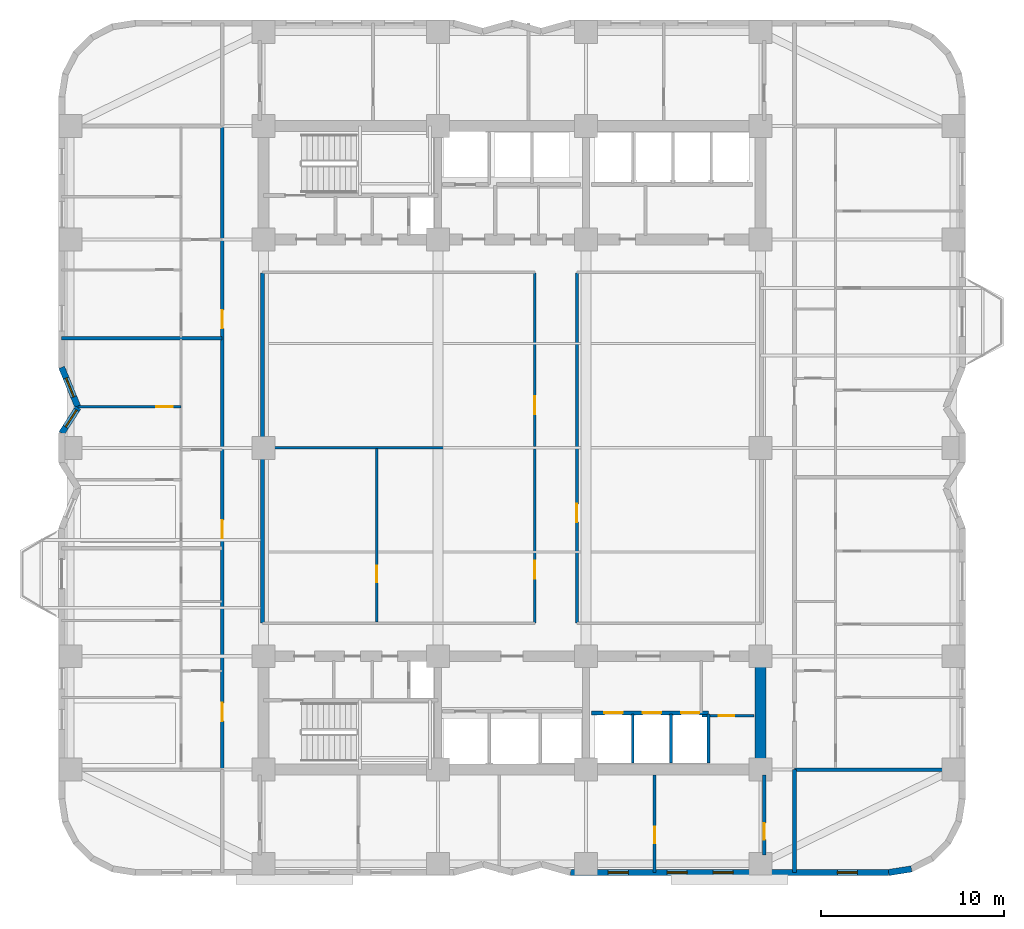
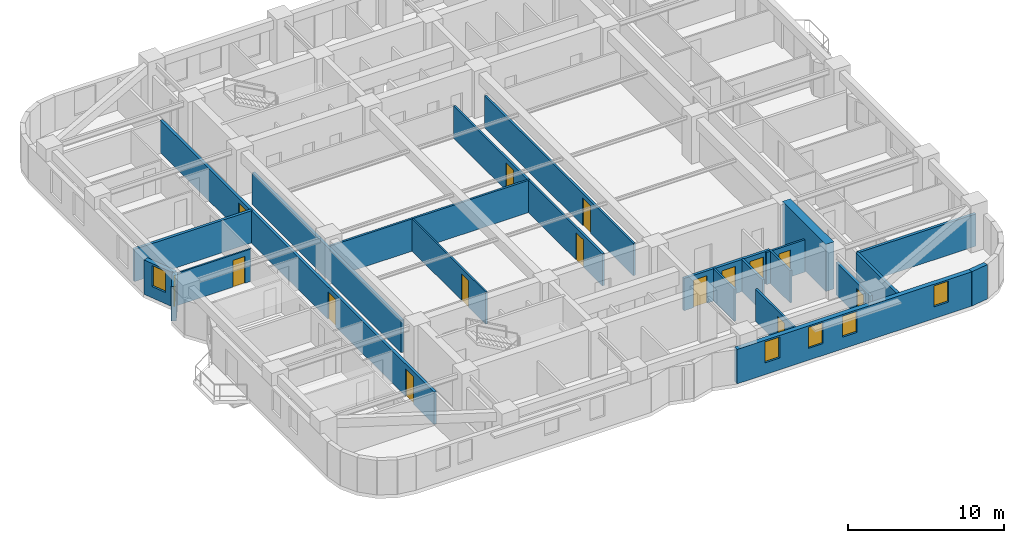
# One storey, part 4 of 11: 22 walls, 14 doors, 6 windows, 20 openings.
"""IFC4 building model written with IfcOpenShell, lengths in metres."""

from ifc_helpers import new_model, si_unit, direction, frame, frame_2d, origin, place, context, subcontext, project, spatial, rectangle, extrude, material, layer, layer_set, type_object, element, fill, save


model = new_model("IFC4")

# Units and contexts
model_context = context("Model", 3, precision=1e-05, world=origin(), true_north=direction((0.0, 1.0)))
body_context = subcontext(model_context, "Body", "Model", "MODEL_VIEW")
ifc_project = project(units=[si_unit("LENGTHUNIT", "METRE"), si_unit("AREAUNIT", "SQUARE_METRE"), si_unit("VOLUMEUNIT", "CUBIC_METRE"), si_unit("PLANEANGLEUNIT", "RADIAN"), si_unit("MASSUNIT", "GRAM", prefix="KILO")], contexts=[model_context])

# Site, building, storey
site_placement = place(None, origin())
site = spatial("IfcSite", under=ifc_project, at=site_placement, CompositionType="ELEMENT")
building_placement = place(site_placement, origin())
building = spatial("IfcBuilding", under=site, at=building_placement, Name="Svetorya Sky Lyceum", CompositionType="ELEMENT")
storey_placement = place(building_placement, frame((0.0, 0.0, 36.199951171875)))
storey = spatial("IfcBuildingStorey", under=building, at=storey_placement, Name="L08", CompositionType="ELEMENT", Elevation=36.199951171875)

# Wall
ifc_material_1 = material(Name="Concrete C60/75", Category="concrete")
ifc_layer_1 = layer(ifc_material_1, 0.60009765625)
ifc_layer_set_1 = layer_set([ifc_layer_1], Name="Concrete C60/75")
wall_type_1 = type_object("IfcWallType", Name="WL-CORE-600", PredefinedType="SHEAR", material=ifc_layer_set_1)
wall_1_placement = place(storey_placement, frame((52.800048828125, 10.89990234375, 0.0), z_axis=(0.0, 0.0, 1.0), x_axis=(0.0, 1.0, 0.0)))
element("IfcWall", 1, at=wall_1_placement, inside=storey, type_object=wall_type_1, Name="L08 SC East Core Shear Wall", PredefinedType="SHEAR", context=body_context, shape_type="SweptSolid", body=[
    extrude(rectangle(XDim=5.60009765625, YDim=0.60009765625, at=frame_2d((2.800048828125, 0.0))), origin(), (0.0, 0.0, 1.0), 3.699951171875),
])

# Wall, openings, windows
ifc_material_2 = material(Name="Putilovo limestone rainscreen on autoclaved cellular masonry", Category="masonry")
ifc_layer_2 = layer(ifc_material_2, 0.340087890625)
ifc_layer_set_2 = layer_set([ifc_layer_2], Name="Putilovo limestone rainscreen on autoclaved cellular masonry")
wall_type_2 = type_object("IfcWallType", Name="WL-EXT-340", PredefinedType="SOLIDWALL", material=ifc_layer_set_2)
wall_2_placement = place(storey_placement, frame((42.39990234375, 4.969970703125, 0.0), z_axis=(0.0, 0.0, 1.0), x_axis=(1.0, 0.0, 0.0)))
wall_2 = element("IfcWall", 2, at=wall_2_placement, inside=storey, type_object=wall_type_2, Name="L08 Limestone Exterior Wall 11M", PredefinedType="SOLIDWALL", context=body_context, shape_type="SweptSolid", body=[
    extrude(rectangle(XDim=17.400146484375, YDim=0.340087890625, at=frame_2d((8.7001953125, 0.0))), origin(), (0.0, 0.0, 1.0), 2.699951171875),
])
opening_1_placement = place(wall_2_placement, frame((2.06005859375, 0.0, 0.929931640625)))
opening_1 = element("IfcOpeningElement", 3, at=opening_1_placement, cuts=wall_2, Name="Opening W-R3", PredefinedType="OPENING", context=body_context, shape_type="SweptSolid", body=[
    extrude(rectangle(XDim=1.10009765625, YDim=1.64990234375, at=frame_2d((0.550048828125, 0.824951171875))), frame((0.0, 0.179931640625, 0.0), z_axis=(0.0, -1.0, 0.0), x_axis=(1.0, 0.0, 0.0)), (0.0, 0.0, 1.0), 0.360107421875),
])
opening_2_placement = place(wall_2_placement, frame((5.280029296875, 0.0, 0.929931640625)))
opening_2 = element("IfcOpeningElement", 4, at=opening_2_placement, cuts=wall_2, Name="Opening W-R3", PredefinedType="OPENING", context=body_context, shape_type="SweptSolid", body=[
    extrude(rectangle(XDim=1.10009765625, YDim=1.64990234375, at=frame_2d((0.550048828125, 0.824951171875))), frame((0.0, 0.179931640625, 0.0), z_axis=(0.0, -1.0, 0.0), x_axis=(1.0, 0.0, 0.0)), (0.0, 0.0, 1.0), 0.360107421875),
])
opening_3_placement = place(wall_2_placement, frame((7.800048828125, 0.0, 0.929931640625)))
opening_3 = element("IfcOpeningElement", 5, at=opening_3_placement, cuts=wall_2, Name="Opening W-R3", PredefinedType="OPENING", context=body_context, shape_type="SweptSolid", body=[
    extrude(rectangle(XDim=1.10009765625, YDim=1.64990234375, at=frame_2d((0.550048828125, 0.824951171875))), frame((0.0, 0.179931640625, 0.0), z_axis=(0.0, -1.0, 0.0), x_axis=(1.0, 0.0, 0.0)), (0.0, 0.0, 1.0), 0.360107421875),
])
opening_4_placement = place(wall_2_placement, frame((14.590087890625, 0.0, 0.929931640625)))
opening_4 = element("IfcOpeningElement", 6, at=opening_4_placement, cuts=wall_2, Name="Opening W-R3", PredefinedType="OPENING", context=body_context, shape_type="SweptSolid", body=[
    extrude(rectangle(XDim=1.10009765625, YDim=1.64990234375, at=frame_2d((0.550048828125, 0.824951171875))), frame((0.0, 0.179931640625, 0.0), z_axis=(0.0, -1.0, 0.0), x_axis=(1.0, 0.0, 0.0)), (0.0, 0.0, 1.0), 0.360107421875),
])
ifc_material_3 = material(Name="Thermally broken aluminium frame with triple low-E glazing", Category="aluminium")
window_type = type_object("IfcWindowType", Name="WN-RES-110", PartitioningType="SINGLE_PANEL", PredefinedType="WINDOW", material=ifc_material_3)
window_1_placement = place(opening_1_placement, origin())
window_1 = element("IfcWindow", 7, at=window_1_placement, inside=storey, type_object=window_type, Name="L08 Facade Window W-R3.11M.1", OverallHeight=1.64990234375, OverallWidth=1.10009765625, PartitioningType="SINGLE_PANEL", PredefinedType="WINDOW", context=body_context, shape_type="SweptSolid", body=[
    extrude(rectangle(XDim=1.10009765625, YDim=1.64990234375, at=frame_2d((0.550048828125, 0.824951171875))), frame((0.0, 0.030029296875, 0.0), z_axis=(0.0, -1.0, 0.0), x_axis=(1.0, 0.0, 0.0)), (0.0, 0.0, 1.0), 0.06005859375),
])
fill(opening_1, window_1)
window_2_placement = place(opening_2_placement, origin())
window_2 = element("IfcWindow", 8, at=window_2_placement, inside=storey, type_object=window_type, Name="L08 Facade Window W-R3.11M.2", OverallHeight=1.64990234375, OverallWidth=1.10009765625, PartitioningType="SINGLE_PANEL", PredefinedType="WINDOW", context=body_context, shape_type="SweptSolid", body=[
    extrude(rectangle(XDim=1.10009765625, YDim=1.64990234375, at=frame_2d((0.550048828125, 0.824951171875))), frame((0.0, 0.030029296875, 0.0), z_axis=(0.0, -1.0, 0.0), x_axis=(1.0, 0.0, 0.0)), (0.0, 0.0, 1.0), 0.06005859375),
])
fill(opening_2, window_2)
window_3_placement = place(opening_3_placement, origin())
window_3 = element("IfcWindow", 9, at=window_3_placement, inside=storey, type_object=window_type, Name="L08 Facade Window W-R3.11M.3", OverallHeight=1.64990234375, OverallWidth=1.10009765625, PartitioningType="SINGLE_PANEL", PredefinedType="WINDOW", context=body_context, shape_type="SweptSolid", body=[
    extrude(rectangle(XDim=1.10009765625, YDim=1.64990234375, at=frame_2d((0.550048828125, 0.824951171875))), frame((0.0, 0.030029296875, 0.0), z_axis=(0.0, -1.0, 0.0), x_axis=(1.0, 0.0, 0.0)), (0.0, 0.0, 1.0), 0.06005859375),
])
fill(opening_3, window_3)
window_4_placement = place(opening_4_placement, origin())
window_4 = element("IfcWindow", 10, at=window_4_placement, inside=storey, type_object=window_type, Name="L08 Facade Window W-R3.11M.4", OverallHeight=1.64990234375, OverallWidth=1.10009765625, PartitioningType="SINGLE_PANEL", PredefinedType="WINDOW", context=body_context, shape_type="SweptSolid", body=[
    extrude(rectangle(XDim=1.10009765625, YDim=1.64990234375, at=frame_2d((0.550048828125, 0.824951171875))), frame((0.0, 0.030029296875, 0.0), z_axis=(0.0, -1.0, 0.0), x_axis=(1.0, 0.0, 0.0)), (0.0, 0.0, 1.0), 0.06005859375),
])
fill(opening_4, window_4)

# Wall
wall_3_placement = place(storey_placement, frame((59.800048828125, 4.969970703125, 0.0), z_axis=(0.0, 0.0, 1.0), x_axis=(0.987685918112, 0.15644975923, 0.0)))
element("IfcWall", 11, at=wall_3_placement, inside=storey, type_object=wall_type_2, Name="L08 Limestone Exterior Wall 12M", PredefinedType="SOLIDWALL", context=body_context, shape_type="SweptSolid", body=[
    extrude(rectangle(XDim=1.260986328125, YDim=0.340087890625, at=frame_2d((0.63037109375, 0.0))), origin(), (0.0, 0.0, 1.0), 2.699951171875),
])

# Wall, opening, window
wall_4_placement = place(storey_placement, frame((14.570068359375, 32.60009765625, 0.0), z_axis=(0.0, 0.0, 1.0), x_axis=(0.378568858991, -0.925573130013, 0.0)))
wall_4 = element("IfcWall", 12, at=wall_4_placement, inside=storey, type_object=wall_type_2, Name="L08 Limestone Exterior Wall 41M", PredefinedType="SOLIDWALL", context=body_context, shape_type="SweptSolid", body=[
    extrude(rectangle(XDim=2.377197265625, YDim=0.340087890625, at=frame_2d((1.1884765625, 0.0))), origin(), (0.0, 0.0, 1.0), 2.699951171875),
])
opening_5_placement = place(wall_4_placement, frame((0.638427734375, 0.0, 0.889892578125)))
opening_5 = element("IfcOpeningElement", 13, at=opening_5_placement, cuts=wall_4, Name="Opening W-R3", PredefinedType="OPENING", context=body_context, shape_type="SweptSolid", body=[
    extrude(rectangle(XDim=1.10009765625, YDim=1.64990234375, at=frame_2d((0.550048828125, 0.824951171875))), frame((0.0, 0.179931640625, 0.0), z_axis=(0.0, -1.0, 0.0), x_axis=(1.0, 0.0, 0.0)), (0.0, 0.0, 1.0), 0.360107421875),
])
window_5_placement = place(opening_5_placement, origin())
window_5 = element("IfcWindow", 14, at=window_5_placement, inside=storey, type_object=window_type, Name="L08 Facade Window W-R3.41M.1", OverallHeight=1.64990234375, OverallWidth=1.10009765625, PartitioningType="SINGLE_PANEL", PredefinedType="WINDOW", context=body_context, shape_type="SweptSolid", body=[
    extrude(rectangle(XDim=1.10009765625, YDim=1.64990234375, at=frame_2d((0.550048828125, 0.824951171875))), frame((0.0, 0.030029296875, 0.0), z_axis=(0.0, -1.0, 0.0), x_axis=(1.0, 0.0, 0.0)), (0.0, 0.0, 1.0), 0.06005859375),
])
fill(opening_5, window_5)

wall_5_placement = place(storey_placement, frame((15.469970703125, 30.39990234375, 0.0), z_axis=(0.0, 0.0, 1.0), x_axis=(-0.540742762169, -0.841188008214, 0.0)))
wall_5 = element("IfcWall", 15, at=wall_5_placement, inside=storey, type_object=wall_type_2, Name="L08 Limestone Exterior Wall 42M", PredefinedType="SOLIDWALL", context=body_context, shape_type="SweptSolid", body=[
    extrude(rectangle(XDim=1.664306640625, YDim=0.340087890625, at=frame_2d((0.83203125, 0.0))), origin(), (0.0, 0.0, 1.0), 2.699951171875),
])
opening_6_placement = place(wall_5_placement, frame((0.159912109375, 0.0, 0.889892578125)))
opening_6 = element("IfcOpeningElement", 16, at=opening_6_placement, cuts=wall_5, Name="Opening W-R3", PredefinedType="OPENING", context=body_context, shape_type="SweptSolid", body=[
    extrude(rectangle(XDim=1.10009765625, YDim=1.64990234375, at=frame_2d((0.550048828125, 0.824951171875))), frame((0.0, 0.179931640625, 0.0), z_axis=(0.0, -1.0, 0.0), x_axis=(1.0, 0.0, 0.0)), (0.0, 0.0, 1.0), 0.360107421875),
])
window_6_placement = place(opening_6_placement, origin())
window_6 = element("IfcWindow", 17, at=window_6_placement, inside=storey, type_object=window_type, Name="L08 Facade Window W-R3.42M.1", OverallHeight=1.64990234375, OverallWidth=1.10009765625, PartitioningType="SINGLE_PANEL", PredefinedType="WINDOW", context=body_context, shape_type="SweptSolid", body=[
    extrude(rectangle(XDim=1.10009765625, YDim=1.64990234375, at=frame_2d((0.550048828125, 0.824951171875))), frame((0.0, 0.030029296875, 0.0), z_axis=(0.0, -1.0, 0.0), x_axis=(1.0, 0.0, 0.0)), (0.0, 0.0, 1.0), 0.06005859375),
])
fill(opening_6, window_6)

# Wall, opening, door
ifc_material_4 = material(Name="Twin-stud galvanized framing with double fireboard", Category="gypsum")
ifc_layer_3 = layer(ifc_material_4, 0.1201171875)
ifc_layer_set_3 = layer_set([ifc_layer_3], Name="Twin-stud galvanized framing with double fireboard")
wall_type_3 = type_object("IfcWallType", Name="WL-PART-120", PredefinedType="PARTITIONING", material=ifc_layer_set_3)
wall_6_placement = place(storey_placement, frame((31.800048828125, 18.659912109375, 0.0), z_axis=(0.0, 0.0, 1.0), x_axis=(0.0, 1.0, 0.0)))
wall_6 = element("IfcWall", 18, at=wall_6_placement, inside=storey, type_object=wall_type_3, Name="L08 Interior Partition CEN-WV1", PredefinedType="PARTITIONING", context=body_context, shape_type="SweptSolid", body=[
    extrude(rectangle(XDim=9.489990234375, YDim=0.1201171875, at=frame_2d((4.7451171875, 0.0))), origin(), (0.0, 0.0, 1.0), 2.530029296875),
])
opening_7_placement = place(wall_6_placement, frame((2.199951171875, 0.0, 0.0)))
opening_7 = element("IfcOpeningElement", 19, at=opening_7_placement, cuts=wall_6, Name="Opening D-RM1", PredefinedType="OPENING", context=body_context, shape_type="SweptSolid", body=[
    extrude(rectangle(XDim=0.89990234375, YDim=2.10009765625, at=frame_2d((0.449951171875, 1.050048828125))), frame((0.0, 0.070068359375, 0.0), z_axis=(0.0, -1.0, 0.0), x_axis=(1.0, 0.0, 0.0)), (0.0, 0.0, 1.0), 0.14013671875),
])
ifc_material_5 = material(Name="Lacquered birch veneer internal door")
door_type_1 = type_object("IfcDoorType", Name="DR-INT-900", OperationType="SINGLE_SWING_LEFT", PredefinedType="DOOR", material=ifc_material_5)
door_1_placement = place(opening_7_placement, origin())
door_1 = element("IfcDoor", 20, at=door_1_placement, inside=storey, type_object=door_type_1, Name="L08 Quiet Study Door", OperationType="SINGLE_SWING_LEFT", OverallHeight=2.10009765625, OverallWidth=0.89990234375, PredefinedType="DOOR", context=body_context, shape_type="SweptSolid", body=[
    extrude(rectangle(XDim=0.89990234375, YDim=2.10009765625, at=frame_2d((0.449951171875, 1.050048828125))), frame((0.0, 0.02490234375, 0.0), z_axis=(0.0, -1.0, 0.0), x_axis=(1.0, 0.0, 0.0)), (0.0, 0.0, 1.0), 0.050048828125),
])
fill(opening_7, door_1)

wall_7_placement = place(storey_placement, frame((15.449462890625, 30.449951171875, 0.0), z_axis=(0.0, 0.0, 1.0), x_axis=(1.0, 0.0, 0.0)))
wall_7 = element("IfcWall", 21, at=wall_7_placement, inside=storey, type_object=wall_type_3, Name="L08 Interior Partition W2-WL2", PredefinedType="PARTITIONING", context=body_context, shape_type="SweptSolid", body=[
    extrude(rectangle(XDim=5.650634765625, YDim=0.1201171875, at=frame_2d((2.8251953125, 0.0))), origin(), (0.0, 0.0, 1.0), 2.530029296875),
])
opening_8_placement = place(wall_7_placement, frame((4.300537109375, 0.0, 0.0)))
opening_8 = element("IfcOpeningElement", 22, at=opening_8_placement, cuts=wall_7, Name="Opening D-RM1", PredefinedType="OPENING", context=body_context, shape_type="SweptSolid", body=[
    extrude(rectangle(XDim=0.89990234375, YDim=2.10009765625, at=frame_2d((0.449951171875, 1.050048828125))), frame((0.0, 0.070068359375, 0.0), z_axis=(0.0, -1.0, 0.0), x_axis=(1.0, 0.0, 0.0)), (0.0, 0.0, 1.0), 0.14013671875),
])
door_2_placement = place(opening_8_placement, origin())
door_2 = element("IfcDoor", 23, at=door_2_placement, inside=storey, type_object=door_type_1, Name="Apartment W2 Bedroom 2 Door", OperationType="SINGLE_SWING_LEFT", OverallHeight=2.10009765625, OverallWidth=0.89990234375, PredefinedType="DOOR", context=body_context, shape_type="SweptSolid", body=[
    extrude(rectangle(XDim=0.89990234375, YDim=2.10009765625, at=frame_2d((0.449951171875, 1.050048828125))), frame((0.0, 0.02490234375, 0.0), z_axis=(0.0, -1.0, 0.0), x_axis=(1.0, 0.0, 0.0)), (0.0, 0.0, 1.0), 0.050048828125),
])
fill(opening_8, door_2)

# Walls
ifc_material_6 = material(Name="Autoclaved cellular masonry blockwork with acoustic render", Category="masonry")
ifc_layer_4 = layer(ifc_material_6, 0.14990234375)
ifc_layer_set_4 = layer_set([ifc_layer_4], Name="Autoclaved cellular masonry blockwork with acoustic render")
wall_type_4 = type_object("IfcWallType", Name="WL-PART-150", PredefinedType="PARTITIONING", material=ifc_layer_set_4)
for number, where, z_axis, x_axis, name in (
    (24, (45.800048828125, 10.949951171875, 0.0), (0.0, 0.0, 1.0), (0.0, 1.0, 0.0), "L08 Interior Partition SC-PL-DIV1"),
    (25, (47.89990234375, 10.949951171875, 0.0), (0.0, 0.0, 1.0), (0.0, 1.0, 0.0), "L08 Interior Partition SC-PL-DIV2"),
    (26, (49.949951171875, 10.949951171875, 0.0), (0.0, 0.0, 1.0), (0.0, 1.0, 0.0), "L08 Interior Partition SC-PL-END"),
):
    element("IfcWall", number, at=place(storey_placement, frame(where, z_axis=z_axis, x_axis=x_axis)), inside=storey, type_object=wall_type_4, Name=name, PredefinedType="PARTITIONING", context=body_context, shape_type="SweptSolid", body=[
        extrude(rectangle(XDim=2.699951171875, YDim=0.14990234375, at=frame_2d((1.35009765625, 0.0))), origin(), (0.0, 0.0, 1.0), 2.530029296875),
    ])

# Wall, opening, door
wall_8_placement = place(storey_placement, frame((49.60009765625, 13.550048828125, 0.0), z_axis=(0.0, 0.0, 1.0), x_axis=(1.0, 0.0, 0.0)))
wall_8 = element("IfcWall", 27, at=wall_8_placement, inside=storey, type_object=wall_type_4, Name="L08 Interior Partition SC-AUX-H", PredefinedType="PARTITIONING", context=body_context, shape_type="SweptSolid", body=[
    extrude(rectangle(XDim=2.849853515625, YDim=0.14990234375, at=frame_2d((1.4248046875, 0.0))), origin(), (0.0, 0.0, 1.0), 2.530029296875),
])
opening_9_placement = place(wall_8_placement, frame((0.89990234375, 0.0, 0.0)))
opening_9 = element("IfcOpeningElement", 28, at=opening_9_placement, cuts=wall_8, Name="Opening D-CWC1", PredefinedType="OPENING", context=body_context, shape_type="SweptSolid", body=[
    extrude(rectangle(XDim=0.85009765625, YDim=2.10009765625, at=frame_2d((0.425048828125, 1.050048828125))), frame((0.0, 0.0849609375, 0.0), z_axis=(0.0, -1.0, 0.0), x_axis=(1.0, 0.0, 0.0)), (0.0, 0.0, 1.0), 0.169921875),
])
ifc_material_7 = material(Name="Fire-rated galvanized steel core service closet door", Category="steel")
door_type_2 = type_object("IfcDoorType", Name="DR-CWET-850", OperationType="SINGLE_SWING_LEFT", PredefinedType="DOOR", material=ifc_material_7)
door_3_placement = place(opening_9_placement, origin())
door_3 = element("IfcDoor", 29, at=door_3_placement, inside=storey, type_object=door_type_2, Name="L08 South Electrical Closet Door", OperationType="SINGLE_SWING_LEFT", OverallHeight=2.10009765625, OverallWidth=0.85009765625, PredefinedType="DOOR", context=body_context, shape_type="SweptSolid", body=[
    extrude(rectangle(XDim=0.85009765625, YDim=2.10009765625, at=frame_2d((0.425048828125, 1.050048828125))), frame((0.0, 0.02490234375, 0.0), z_axis=(0.0, -1.0, 0.0), x_axis=(1.0, 0.0, 0.0)), (0.0, 0.0, 1.0), 0.050048828125),
])
fill(opening_9, door_3)

# Wall
wall_9_placement = place(storey_placement, frame((25.60009765625, 28.199951171875, 0.0), z_axis=(0.0, 0.0, 1.0), x_axis=(1.0, 0.0, 0.0)))
element("IfcWall", 30, at=wall_9_placement, inside=storey, type_object=wall_type_4, Name="L08 Interior Partition CEN-HW", PredefinedType="PARTITIONING", context=body_context, shape_type="SweptSolid", body=[
    extrude(rectangle(XDim=14.869873046875, YDim=0.14990234375, at=frame_2d((7.43505859375, 0.0))), origin(), (0.0, 0.0, 1.0), 2.530029296875),
])

# Wall, openings, doors
wall_10_placement = place(storey_placement, frame((40.449951171875, 18.6298828125, 0.0), z_axis=(0.0, 0.0, 1.0), x_axis=(0.0, 1.0, 0.0)))
wall_10 = element("IfcWall", 31, at=wall_10_placement, inside=storey, type_object=wall_type_4, Name="L08 Interior Partition CEN-VW", PredefinedType="PARTITIONING", context=body_context, shape_type="SweptSolid", body=[
    extrude(rectangle(XDim=19.14013671875, YDim=0.14990234375, at=frame_2d((9.570068359375, 0.0))), origin(), (0.0, 0.0, 1.0), 2.530029296875),
])
opening_10_placement = place(wall_10_placement, frame((2.39990234375, 0.0, 0.0)))
opening_10 = element("IfcOpeningElement", 32, at=opening_10_placement, cuts=wall_10, Name="Opening D-RM2", PredefinedType="OPENING", context=body_context, shape_type="SweptSolid", body=[
    extrude(rectangle(XDim=1.0, YDim=2.14990234375, at=frame_2d((0.5, 1.074951171875))), frame((0.0, 0.0849609375, 0.0), z_axis=(0.0, -1.0, 0.0), x_axis=(1.0, 0.0, 0.0)), (0.0, 0.0, 1.0), 0.169921875),
])
opening_11_placement = place(wall_10_placement, frame((11.39990234375, 0.0, 0.0)))
opening_11 = element("IfcOpeningElement", 33, at=opening_11_placement, cuts=wall_10, Name="Opening D-RM2", PredefinedType="OPENING", context=body_context, shape_type="SweptSolid", body=[
    extrude(rectangle(XDim=1.0, YDim=2.14990234375, at=frame_2d((0.5, 1.074951171875))), frame((0.0, 0.0849609375, 0.0), z_axis=(0.0, -1.0, 0.0), x_axis=(1.0, 0.0, 0.0)), (0.0, 0.0, 1.0), 0.169921875),
])
ifc_material_8 = material(Name="Solid-core oak acoustic room door")
door_type_3 = type_object("IfcDoorType", Name="DR-INT-1000", OperationType="SINGLE_SWING_LEFT", PredefinedType="DOOR", material=ifc_material_8)
door_4_placement = place(opening_10_placement, origin())
door_4 = element("IfcDoor", 34, at=door_4_placement, inside=storey, type_object=door_type_3, Name="L08 Study Door", OperationType="SINGLE_SWING_LEFT", OverallHeight=2.14990234375, OverallWidth=1.0, PredefinedType="DOOR", context=body_context, shape_type="SweptSolid", body=[
    extrude(rectangle(XDim=1.0, YDim=2.14990234375, at=frame_2d((0.5, 1.074951171875))), frame((0.0, 0.02490234375, 0.0), z_axis=(0.0, -1.0, 0.0), x_axis=(1.0, 0.0, 0.0)), (0.0, 0.0, 1.0), 0.050048828125),
])
fill(opening_10, door_4)
door_5_placement = place(opening_11_placement, origin())
door_5 = element("IfcDoor", 35, at=door_5_placement, inside=storey, type_object=door_type_3, Name="L08 Focus Door", OperationType="SINGLE_SWING_RIGHT", OverallHeight=2.14990234375, OverallWidth=1.0, PredefinedType="DOOR", context=body_context, shape_type="SweptSolid", body=[
    extrude(rectangle(XDim=1.0, YDim=2.14990234375, at=frame_2d((0.5, 1.074951171875))), frame((0.0, 0.02490234375, 0.0), z_axis=(0.0, -1.0, 0.0), x_axis=(1.0, 0.0, 0.0)), (0.0, 0.0, 1.0), 0.050048828125),
])
fill(opening_11, door_5)

# Wall, opening, door
wall_11_placement = place(storey_placement, frame((42.75, 18.6298828125, 0.0), z_axis=(0.0, 0.0, 1.0), x_axis=(0.0, 1.0, 0.0)))
wall_11 = element("IfcWall", 36, at=wall_11_placement, inside=storey, type_object=wall_type_4, Name="L08 Interior Partition CEN-VE", PredefinedType="PARTITIONING", context=body_context, shape_type="SweptSolid", body=[
    extrude(rectangle(XDim=19.14013671875, YDim=0.14990234375, at=frame_2d((9.570068359375, 0.0))), origin(), (0.0, 0.0, 1.0), 2.530029296875),
])
opening_12_placement = place(wall_11_placement, frame((5.5, 0.0, 0.0)))
opening_12 = element("IfcOpeningElement", 37, at=opening_12_placement, cuts=wall_11, Name="Opening D-RM2", PredefinedType="OPENING", context=body_context, shape_type="SweptSolid", body=[
    extrude(rectangle(XDim=1.0, YDim=2.14990234375, at=frame_2d((0.5, 1.074951171875))), frame((0.0, 0.0849609375, 0.0), z_axis=(0.0, -1.0, 0.0), x_axis=(1.0, 0.0, 0.0)), (0.0, 0.0, 1.0), 0.169921875),
])
door_6_placement = place(opening_12_placement, origin())
door_6 = element("IfcDoor", 38, at=door_6_placement, inside=storey, type_object=door_type_3, Name="L08 East Hall Door", OperationType="SINGLE_SWING_RIGHT", OverallHeight=2.14990234375, OverallWidth=1.0, PredefinedType="DOOR", context=body_context, shape_type="SweptSolid", body=[
    extrude(rectangle(XDim=1.0, YDim=2.14990234375, at=frame_2d((0.5, 1.074951171875))), frame((0.0, 0.02490234375, 0.0), z_axis=(0.0, -1.0, 0.0), x_axis=(1.0, 0.0, 0.0)), (0.0, 0.0, 1.0), 0.050048828125),
])
fill(opening_12, door_6)

wall_12_placement = place(storey_placement, frame((47.0, 4.969970703125, 0.0), z_axis=(0.0, 0.0, 1.0), x_axis=(0.0, 1.0, 0.0)))
wall_12 = element("IfcWall", 39, at=wall_12_placement, inside=storey, type_object=wall_type_4, Name="L08 Interior Partition S4-D3", PredefinedType="PARTITIONING", context=body_context, shape_type="SweptSolid", body=[
    extrude(rectangle(XDim=5.330078125, YDim=0.14990234375, at=frame_2d((2.6650390625, 0.0))), origin(), (0.0, 0.0, 1.0), 2.530029296875),
])
opening_13_placement = place(wall_12_placement, frame((1.60009765625, 0.0, 0.0)))
opening_13 = element("IfcOpeningElement", 40, at=opening_13_placement, cuts=wall_12, Name="Opening D-RM1", PredefinedType="OPENING", context=body_context, shape_type="SweptSolid", body=[
    extrude(rectangle(XDim=0.89990234375, YDim=2.10009765625, at=frame_2d((0.449951171875, 1.050048828125))), frame((0.0, 0.0849609375, 0.0), z_axis=(0.0, -1.0, 0.0), x_axis=(1.0, 0.0, 0.0)), (0.0, 0.0, 1.0), 0.169921875),
])
door_7_placement = place(opening_13_placement, origin())
door_7 = element("IfcDoor", 41, at=door_7_placement, inside=storey, type_object=door_type_1, Name="L08 South Suite Door 3", OperationType="SINGLE_SWING_LEFT", OverallHeight=2.10009765625, OverallWidth=0.89990234375, PredefinedType="DOOR", context=body_context, shape_type="SweptSolid", body=[
    extrude(rectangle(XDim=0.89990234375, YDim=2.10009765625, at=frame_2d((0.449951171875, 1.050048828125))), frame((0.0, 0.02490234375, 0.0), z_axis=(0.0, -1.0, 0.0), x_axis=(1.0, 0.0, 0.0)), (0.0, 0.0, 1.0), 0.050048828125),
])
fill(opening_13, door_7)

# Wall, openings, doors
ifc_material_9 = material(Name="Autoclaved cellular masonry blockwork with gypsum plaster", Category="masonry")
ifc_layer_5 = layer(ifc_material_9, 0.199951171875)
ifc_layer_set_5 = layer_set([ifc_layer_5], Name="Autoclaved cellular masonry blockwork with gypsum plaster")
wall_type_5 = type_object("IfcWallType", Name="WL-PART-200", PredefinedType="PARTITIONING", material=ifc_layer_set_5)
wall_13_placement = place(storey_placement, frame((43.550048828125, 13.699951171875, 0.0), z_axis=(0.0, 0.0, 1.0), x_axis=(1.0, 0.0, 0.0)))
wall_13 = element("IfcWall", 42, at=wall_13_placement, inside=storey, type_object=wall_type_5, Name="L08 Interior Partition SC-PLW", PredefinedType="PARTITIONING", context=body_context, shape_type="SweptSolid", body=[
    extrude(rectangle(XDim=6.39990234375, YDim=0.199951171875, at=frame_2d((3.199951171875, 0.0))), origin(), (0.0, 0.0, 1.0), 2.530029296875),
])
opening_14_placement = place(wall_13_placement, frame((0.699951171875, 0.0, 0.0)))
opening_14 = element("IfcOpeningElement", 43, at=opening_14_placement, cuts=wall_13, Name="Opening LD-P1", PredefinedType="OPENING", context=body_context, shape_type="SweptSolid", body=[
    extrude(rectangle(XDim=1.0, YDim=2.14990234375, at=frame_2d((0.5, 1.074951171875))), frame((0.0, 0.10986328125, 0.0), z_axis=(0.0, -1.0, 0.0), x_axis=(1.0, 0.0, 0.0)), (0.0, 0.0, 1.0), 0.219970703125),
])
opening_15_placement = place(wall_13_placement, frame((2.800048828125, 0.0, 0.0)))
opening_15 = element("IfcOpeningElement", 44, at=opening_15_placement, cuts=wall_13, Name="Opening LD-P1", PredefinedType="OPENING", context=body_context, shape_type="SweptSolid", body=[
    extrude(rectangle(XDim=1.0, YDim=2.14990234375, at=frame_2d((0.5, 1.074951171875))), frame((0.0, 0.10986328125, 0.0), z_axis=(0.0, -1.0, 0.0), x_axis=(1.0, 0.0, 0.0)), (0.0, 0.0, 1.0), 0.219970703125),
])
opening_16_placement = place(wall_13_placement, frame((4.89990234375, 0.0, 0.0)))
opening_16 = element("IfcOpeningElement", 45, at=opening_16_placement, cuts=wall_13, Name="Opening LD-P1", PredefinedType="OPENING", context=body_context, shape_type="SweptSolid", body=[
    extrude(rectangle(XDim=1.0, YDim=2.14990234375, at=frame_2d((0.5, 1.074951171875))), frame((0.0, 0.10986328125, 0.0), z_axis=(0.0, -1.0, 0.0), x_axis=(1.0, 0.0, 0.0)), (0.0, 0.0, 1.0), 0.219970703125),
])
ifc_material_10 = material(Name="Champagne-anodized stainless passenger lift landing door")
door_type_4 = type_object("IfcDoorType", Name="DR-LIFT-1000", OperationType="SLIDING_TO_LEFT", PredefinedType="DOOR", material=ifc_material_10)
door_8_placement = place(opening_14_placement, origin())
door_8 = element("IfcDoor", 46, at=door_8_placement, inside=storey, type_object=door_type_4, Name="L08 Passenger Lift PL1 Landing Door", OperationType="SLIDING_TO_LEFT", OverallHeight=2.14990234375, OverallWidth=1.0, PredefinedType="DOOR", context=body_context, shape_type="SweptSolid", body=[
    extrude(rectangle(XDim=1.0, YDim=2.14990234375, at=frame_2d((0.5, 1.074951171875))), frame((0.0, 0.02490234375, 0.0), z_axis=(0.0, -1.0, 0.0), x_axis=(1.0, 0.0, 0.0)), (0.0, 0.0, 1.0), 0.050048828125),
])
fill(opening_14, door_8)
door_9_placement = place(opening_15_placement, origin())
door_9 = element("IfcDoor", 47, at=door_9_placement, inside=storey, type_object=door_type_4, Name="L08 Passenger Lift PL2 Landing Door", OperationType="SLIDING_TO_LEFT", OverallHeight=2.14990234375, OverallWidth=1.0, PredefinedType="DOOR", context=body_context, shape_type="SweptSolid", body=[
    extrude(rectangle(XDim=1.0, YDim=2.14990234375, at=frame_2d((0.5, 1.074951171875))), frame((0.0, 0.02490234375, 0.0), z_axis=(0.0, -1.0, 0.0), x_axis=(1.0, 0.0, 0.0)), (0.0, 0.0, 1.0), 0.050048828125),
])
fill(opening_15, door_9)
door_10_placement = place(opening_16_placement, origin())
door_10 = element("IfcDoor", 48, at=door_10_placement, inside=storey, type_object=door_type_4, Name="L08 Passenger Lift PL3 Landing Door", OperationType="SLIDING_TO_LEFT", OverallHeight=2.14990234375, OverallWidth=1.0, PredefinedType="DOOR", context=body_context, shape_type="SweptSolid", body=[
    extrude(rectangle(XDim=1.0, YDim=2.14990234375, at=frame_2d((0.5, 1.074951171875))), frame((0.0, 0.02490234375, 0.0), z_axis=(0.0, -1.0, 0.0), x_axis=(1.0, 0.0, 0.0)), (0.0, 0.0, 1.0), 0.050048828125),
])
fill(opening_16, door_10)

# Walls
wall_14_placement = place(storey_placement, frame((25.550048828125, 18.6298828125, 0.0), z_axis=(0.0, 0.0, 1.0), x_axis=(0.0, 1.0, 0.0)))
element("IfcWall", 49, at=wall_14_placement, inside=storey, type_object=wall_type_5, Name="L08 Interior Partition W-CEN-SEP", PredefinedType="PARTITIONING", context=body_context, shape_type="SweptSolid", body=[
    extrude(rectangle(XDim=19.14013671875, YDim=0.199951171875, at=frame_2d((9.570068359375, 0.0))), origin(), (0.0, 0.0, 1.0), 2.530029296875),
])
wall_15_placement = place(storey_placement, frame((14.570068359375, 34.18408203125, 0.0), z_axis=(0.0, 0.0, 1.0), x_axis=(1.0, 0.0, 0.0)))
element("IfcWall", 50, at=wall_15_placement, inside=storey, type_object=wall_type_5, Name="L08 Interior Partition W-PARTY-2", PredefinedType="PARTITIONING", context=body_context, shape_type="SweptSolid", body=[
    extrude(rectangle(XDim=8.780029296875, YDim=0.199951171875, at=frame_2d((4.39013671875, 0.0))), origin(), (0.0, 0.0, 1.0), 2.530029296875),
])

# Wall, openings, doors
wall_16_placement = place(storey_placement, frame((23.35009765625, 10.60009765625, 0.0), z_axis=(0.0, 0.0, 1.0), x_axis=(0.0, 1.0, 0.0)))
wall_16 = element("IfcWall", 51, at=wall_16_placement, inside=storey, type_object=wall_type_5, Name="L08 Interior Partition W-CORRW", PredefinedType="PARTITIONING", context=body_context, shape_type="SweptSolid", body=[
    extrude(rectangle(XDim=35.199951171875, YDim=0.199951171875, at=frame_2d((17.60009765625, 0.0))), origin(), (0.0, 0.0, 1.0), 2.530029296875),
])
opening_17_placement = place(wall_16_placement, frame((2.64990234375, 0.0, 0.0)))
opening_17 = element("IfcOpeningElement", 52, at=opening_17_placement, cuts=wall_16, Name="Opening D-APT1", PredefinedType="OPENING", context=body_context, shape_type="SweptSolid", body=[
    extrude(rectangle(XDim=1.0, YDim=2.14990234375, at=frame_2d((0.5, 1.074951171875))), frame((0.0, 0.10986328125, 0.0), z_axis=(0.0, -1.0, 0.0), x_axis=(1.0, 0.0, 0.0)), (0.0, 0.0, 1.0), 0.219970703125),
])
opening_18_placement = place(wall_16_placement, frame((12.64990234375, 0.0, 0.0)))
opening_18 = element("IfcOpeningElement", 53, at=opening_18_placement, cuts=wall_16, Name="Opening D-APT1", PredefinedType="OPENING", context=body_context, shape_type="SweptSolid", body=[
    extrude(rectangle(XDim=1.0, YDim=2.14990234375, at=frame_2d((0.5, 1.074951171875))), frame((0.0, 0.10986328125, 0.0), z_axis=(0.0, -1.0, 0.0), x_axis=(1.0, 0.0, 0.0)), (0.0, 0.0, 1.0), 0.219970703125),
])
opening_19_placement = place(wall_16_placement, frame((24.134033203125, 0.0, 0.0)))
opening_19 = element("IfcOpeningElement", 54, at=opening_19_placement, cuts=wall_16, Name="Opening D-APT1", PredefinedType="OPENING", context=body_context, shape_type="SweptSolid", body=[
    extrude(rectangle(XDim=1.0, YDim=2.14990234375, at=frame_2d((0.5, 1.074951171875))), frame((0.0, 0.10986328125, 0.0), z_axis=(0.0, -1.0, 0.0), x_axis=(1.0, 0.0, 0.0)), (0.0, 0.0, 1.0), 0.219970703125),
])
ifc_material_11 = material(Name="Insulated oak-veneered apartment entrance door")
door_type_5 = type_object("IfcDoorType", Name="DR-APT-1000", OperationType="SINGLE_SWING_LEFT", PredefinedType="DOOR", material=ifc_material_11)
door_11_placement = place(opening_17_placement, origin())
door_11 = element("IfcDoor", 55, at=door_11_placement, inside=storey, type_object=door_type_5, Name="L08 Apartment W1 Entrance Door", OperationType="SINGLE_SWING_LEFT", OverallHeight=2.14990234375, OverallWidth=1.0, PredefinedType="DOOR", context=body_context, shape_type="SweptSolid", body=[
    extrude(rectangle(XDim=1.0, YDim=2.14990234375, at=frame_2d((0.5, 1.074951171875))), frame((0.0, 0.02490234375, 0.0), z_axis=(0.0, -1.0, 0.0), x_axis=(1.0, 0.0, 0.0)), (0.0, 0.0, 1.0), 0.050048828125),
])
fill(opening_17, door_11)
door_12_placement = place(opening_18_placement, origin())
door_12 = element("IfcDoor", 56, at=door_12_placement, inside=storey, type_object=door_type_5, Name="L08 Apartment W2 Entrance Door", OperationType="SINGLE_SWING_RIGHT", OverallHeight=2.14990234375, OverallWidth=1.0, PredefinedType="DOOR", context=body_context, shape_type="SweptSolid", body=[
    extrude(rectangle(XDim=1.0, YDim=2.14990234375, at=frame_2d((0.5, 1.074951171875))), frame((0.0, 0.02490234375, 0.0), z_axis=(0.0, -1.0, 0.0), x_axis=(1.0, 0.0, 0.0)), (0.0, 0.0, 1.0), 0.050048828125),
])
fill(opening_18, door_12)
door_13_placement = place(opening_19_placement, origin())
door_13 = element("IfcDoor", 57, at=door_13_placement, inside=storey, type_object=door_type_5, Name="L08 Apartment W3 Entrance Door", OperationType="SINGLE_SWING_LEFT", OverallHeight=2.14990234375, OverallWidth=1.0, PredefinedType="DOOR", context=body_context, shape_type="SweptSolid", body=[
    extrude(rectangle(XDim=1.0, YDim=2.14990234375, at=frame_2d((0.5, 1.074951171875))), frame((0.0, 0.02490234375, 0.0), z_axis=(0.0, -1.0, 0.0), x_axis=(1.0, 0.0, 0.0)), (0.0, 0.0, 1.0), 0.050048828125),
])
fill(opening_19, door_13)

# Walls
wall_17_placement = place(storey_placement, frame((54.64990234375, 10.60009765625, 0.0), z_axis=(0.0, 0.0, 1.0), x_axis=(1.0, 0.0, 0.0)))
element("IfcWall", 58, at=wall_17_placement, inside=storey, type_object=wall_type_5, Name="L08 Interior Partition E-CAP-S", PredefinedType="PARTITIONING", context=body_context, shape_type="SweptSolid", body=[
    extrude(rectangle(XDim=8.760009765625, YDim=0.199951171875, at=frame_2d((4.3798828125, 0.0))), origin(), (0.0, 0.0, 1.0), 2.530029296875),
])
wall_18_placement = place(storey_placement, frame((54.64990234375, 4.969970703125, 0.0), z_axis=(0.0, 0.0, 1.0), x_axis=(0.0, 1.0, 0.0)))
element("IfcWall", 59, at=wall_18_placement, inside=storey, type_object=wall_type_5, Name="L08 Interior Partition EC-SE-END", PredefinedType="PARTITIONING", context=body_context, shape_type="SweptSolid", body=[
    extrude(rectangle(XDim=5.630126953125, YDim=0.199951171875, at=frame_2d((2.81494140625, 0.0))), origin(), (0.0, 0.0, 1.0), 2.530029296875),
])

# Wall, opening, door
wall_19_placement = place(storey_placement, frame((53.0, 5.919921875, 0.0), z_axis=(0.0, 0.0, 1.0), x_axis=(0.0, 1.0, 0.0)))
wall_19 = element("IfcWall", 60, at=wall_19_placement, inside=storey, type_object=wall_type_5, Name="L08 Interior Partition S4-EE", PredefinedType="PARTITIONING", context=body_context, shape_type="SweptSolid", body=[
    extrude(rectangle(XDim=4.380126953125, YDim=0.199951171875, at=frame_2d((2.18994140625, 0.0))), origin(), (0.0, 0.0, 1.0), 2.530029296875),
])
opening_20_placement = place(wall_19_placement, frame((0.85009765625, 0.0, 0.0)))
opening_20 = element("IfcOpeningElement", 61, at=opening_20_placement, cuts=wall_19, Name="Opening D-RM1", PredefinedType="OPENING", context=body_context, shape_type="SweptSolid", body=[
    extrude(rectangle(XDim=0.89990234375, YDim=2.10009765625, at=frame_2d((0.449951171875, 1.050048828125))), frame((0.0, 0.10986328125, 0.0), z_axis=(0.0, -1.0, 0.0), x_axis=(1.0, 0.0, 0.0)), (0.0, 0.0, 1.0), 0.219970703125),
])
door_14_placement = place(opening_20_placement, origin())
door_14 = element("IfcDoor", 62, at=door_14_placement, inside=storey, type_object=door_type_1, Name="L08 SE Meeting Door", OperationType="SINGLE_SWING_RIGHT", OverallHeight=2.10009765625, OverallWidth=0.89990234375, PredefinedType="DOOR", context=body_context, shape_type="SweptSolid", body=[
    extrude(rectangle(XDim=0.89990234375, YDim=2.10009765625, at=frame_2d((0.449951171875, 1.050048828125))), frame((0.0, 0.02490234375, 0.0), z_axis=(0.0, -1.0, 0.0), x_axis=(1.0, 0.0, 0.0)), (0.0, 0.0, 1.0), 0.050048828125),
])
fill(opening_20, door_14)

save(model, "model.ifc")
